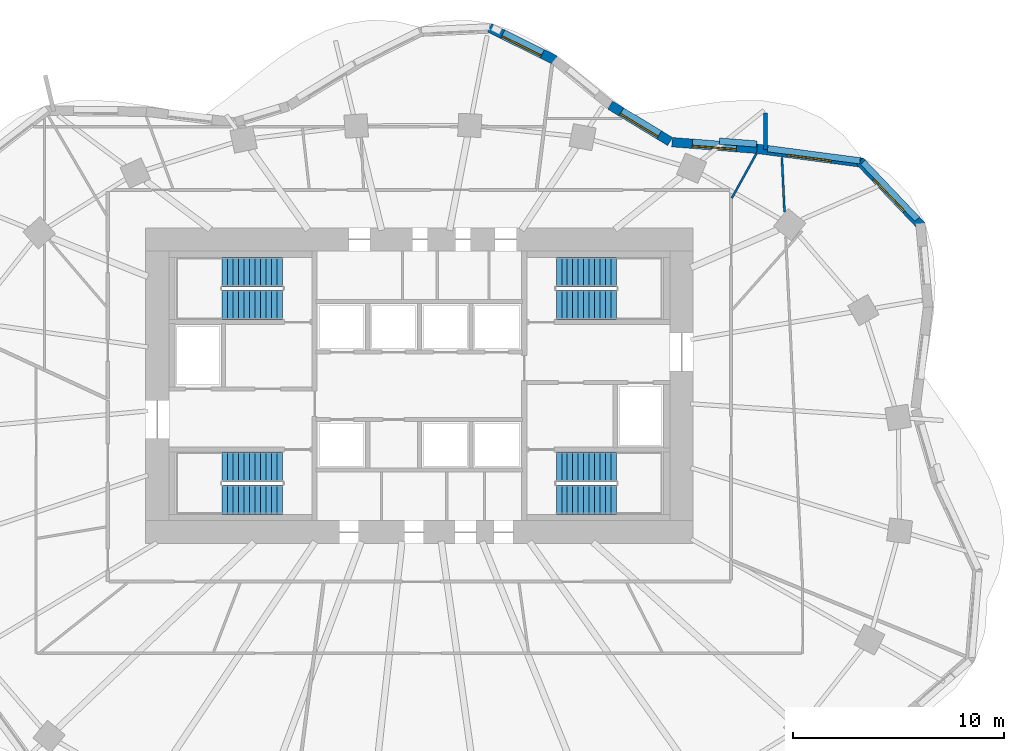
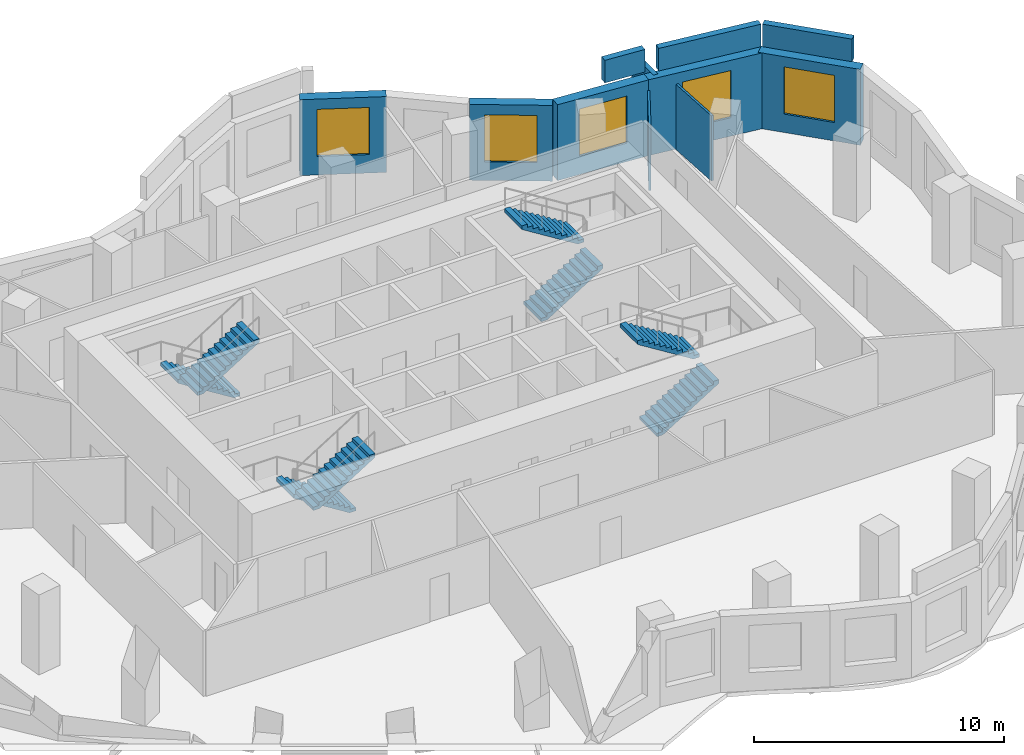
# One storey, part 8 of 9: 11 walls, 8 stair flights, 5 windows, 5 openings, 4 elements without a shape of their own.
"""IFC4 building model written with IfcOpenShell, lengths in metres."""

from ifc_helpers import new_model, si_unit, direction, frame, frame_2d, origin, place, context, subcontext, project, spatial, polyline, rectangle, outline, extrude, material, layer, layer_set, type_object, element, fill, aggregate, save


model = new_model("IFC4")

# Units and contexts
model_context = context("Model", 3, precision=1e-05, world=origin(), true_north=direction((0.0, 1.0)))
body_context = subcontext(model_context, "Body", "Model", "MODEL_VIEW")
ifc_project = project(units=[si_unit("LENGTHUNIT", "METRE"), si_unit("AREAUNIT", "SQUARE_METRE"), si_unit("VOLUMEUNIT", "CUBIC_METRE"), si_unit("PLANEANGLEUNIT", "RADIAN"), si_unit("MASSUNIT", "GRAM", prefix="KILO")], contexts=[model_context])

# Site, building, storey
site_placement = place(None, origin())
site = spatial("IfcSite", under=ifc_project, at=site_placement, CompositionType="ELEMENT")
building_placement = place(site_placement, origin())
building = spatial("IfcBuilding", under=site, at=building_placement, Name="Rubra Terraces Tower", CompositionType="ELEMENT")
storey_placement = place(building_placement, frame((0.0, 0.0, 130.5)))
storey = spatial("IfcBuildingStorey", under=building, at=storey_placement, Name="L31", CompositionType="ELEMENT", Elevation=130.5)

# Wall, opening, window
ifc_material_1 = material(Name="Brick masonry red-brown", Category="masonry")
ifc_layer_1 = layer(ifc_material_1, 0.449951171875)
ifc_layer_set_1 = layer_set([ifc_layer_1], Name="Brick masonry red-brown")
wall_type_1 = type_object("IfcWallType", Name="Brick facade wall 450", PredefinedType="SOLIDWALL", material=ifc_layer_set_1)
wall_1_placement = place(storey_placement, frame((23.84912109375, 12.07958984375, 0.0), z_axis=(0.0, 0.0, 1.0), x_axis=(-0.690057851873, 0.723754213161, 0.0)))
wall_1 = element("IfcWall", 1, at=wall_1_placement, inside=storey, type_object=wall_type_1, Name="Facade wall L31 bay 4", PredefinedType="SOLIDWALL", context=body_context, shape_type="SweptSolid", body=[
    extrude(rectangle(XDim=4.2529296875, YDim=0.449951171875, at=frame_2d((2.12646484375, 0.0))), origin(), (0.0, 0.0, 1.0), 3.699951171875),
])
opening_1_placement = place(wall_1_placement, frame((1.076416015625, 0.0, 0.89990234375)))
opening_1 = element("IfcOpeningElement", 2, at=opening_1_placement, cuts=wall_1, Name="Opening W1B", PredefinedType="OPENING", context=body_context, shape_type="SweptSolid", body=[
    extrude(rectangle(XDim=2.10009765625, YDim=2.300048828125, at=frame_2d((1.050048828125, 1.14990234375))), frame((0.0, 0.23486328125, 0.0), z_axis=(0.0, -1.0, 0.0), x_axis=(1.0, 0.0, 0.0)), (0.0, 0.0, 1.0), 0.469970703125),
])
ifc_material_2 = material(Name="Clear glass in aluminium frame", Category="aluminium")
window_type = type_object("IfcWindowType", Name="Fixed deep-set window tall storey 2100 x 2300", PartitioningType="SINGLE_PANEL", PredefinedType="WINDOW", material=ifc_material_2)
window_1_placement = place(opening_1_placement, origin())
window_1 = element("IfcWindow", 3, at=window_1_placement, inside=storey, type_object=window_type, Name="Window L31 bay 4", OverallHeight=2.300048828125, OverallWidth=2.10009765625, PartitioningType="SINGLE_PANEL", PredefinedType="WINDOW", context=body_context, shape_type="SweptSolid", body=[
    extrude(rectangle(XDim=2.10009765625, YDim=2.300048828125, at=frame_2d((1.050048828125, 1.14990234375))), frame((0.0, 0.135009765625, 0.0), z_axis=(0.0, -1.0, 0.0), x_axis=(1.0, 0.0, 0.0)), (0.0, 0.0, 1.0), 0.06005859375),
])
fill(opening_1, window_1)

wall_2_placement = place(storey_placement, frame((21.043701171875, 15.090576171875, 0.0), z_axis=(0.0, 0.0, 1.0), x_axis=(-0.991409967396, 0.130790965086, 0.0)))
wall_2 = element("IfcWall", 4, at=wall_2_placement, inside=storey, type_object=wall_type_1, Name="Facade wall L31 bay 5", PredefinedType="SOLIDWALL", context=body_context, shape_type="SweptSolid", body=[
    extrude(rectangle(XDim=5.06787109375, YDim=0.449951171875, at=frame_2d((2.533935546875, 0.0))), origin(), (0.0, 0.0, 1.0), 3.699951171875),
])
opening_2_placement = place(wall_2_placement, frame((1.48388671875, 0.0, 0.89990234375)))
opening_2 = element("IfcOpeningElement", 5, at=opening_2_placement, cuts=wall_2, Name="Opening W1B", PredefinedType="OPENING", context=body_context, shape_type="SweptSolid", body=[
    extrude(rectangle(XDim=2.10009765625, YDim=2.300048828125, at=frame_2d((1.050048828125, 1.14990234375))), frame((0.0, 0.23486328125, 0.0), z_axis=(0.0, -1.0, 0.0), x_axis=(1.0, 0.0, 0.0)), (0.0, 0.0, 1.0), 0.469970703125),
])
window_2_placement = place(opening_2_placement, origin())
window_2 = element("IfcWindow", 6, at=window_2_placement, inside=storey, type_object=window_type, Name="Window L31 bay 5", OverallHeight=2.300048828125, OverallWidth=2.10009765625, PartitioningType="SINGLE_PANEL", PredefinedType="WINDOW", context=body_context, shape_type="SweptSolid", body=[
    extrude(rectangle(XDim=2.10009765625, YDim=2.300048828125, at=frame_2d((1.050048828125, 1.14990234375))), frame((0.0, 0.135009765625, 0.0), z_axis=(0.0, -1.0, 0.0), x_axis=(1.0, 0.0, 0.0)), (0.0, 0.0, 1.0), 0.06005859375),
])
fill(opening_2, window_2)

wall_3_placement = place(storey_placement, frame((16.0302734375, 15.751953125, 0.0), z_axis=(0.0, 0.0, 1.0), x_axis=(-0.996967628157, 0.077817404267, 0.0)))
wall_3 = element("IfcWall", 7, at=wall_3_placement, inside=storey, type_object=wall_type_1, Name="Facade wall L31 bay 6", PredefinedType="SOLIDWALL", context=body_context, shape_type="SweptSolid", body=[
    extrude(rectangle(XDim=4.047119140625, YDim=0.449951171875, at=frame_2d((2.0234375, 0.0))), origin(), (0.0, 0.0, 1.0), 3.699951171875),
])
opening_3_placement = place(wall_3_placement, frame((0.9736328125, 0.0, 0.89990234375)))
opening_3 = element("IfcOpeningElement", 8, at=opening_3_placement, cuts=wall_3, Name="Opening W1B", PredefinedType="OPENING", context=body_context, shape_type="SweptSolid", body=[
    extrude(rectangle(XDim=2.10009765625, YDim=2.300048828125, at=frame_2d((1.050048828125, 1.14990234375))), frame((0.0, 0.23486328125, 0.0), z_axis=(0.0, -1.0, 0.0), x_axis=(1.0, 0.0, 0.0)), (0.0, 0.0, 1.0), 0.469970703125),
])
window_3_placement = place(opening_3_placement, origin())
window_3 = element("IfcWindow", 9, at=window_3_placement, inside=storey, type_object=window_type, Name="Window L31 bay 6", OverallHeight=2.300048828125, OverallWidth=2.10009765625, PartitioningType="SINGLE_PANEL", PredefinedType="WINDOW", context=body_context, shape_type="SweptSolid", body=[
    extrude(rectangle(XDim=2.10009765625, YDim=2.300048828125, at=frame_2d((1.050048828125, 1.14990234375))), frame((0.0, 0.135009765625, 0.0), z_axis=(0.0, -1.0, 0.0), x_axis=(1.0, 0.0, 0.0)), (0.0, 0.0, 1.0), 0.06005859375),
])
fill(opening_3, window_3)

wall_4_placement = place(storey_placement, frame((11.904541015625, 16.09619140625, 0.0), z_axis=(0.0, 0.0, 1.0), x_axis=(-0.854609476155, 0.519271261738, 0.0)))
wall_4 = element("IfcWall", 10, at=wall_4_placement, inside=storey, type_object=wall_type_1, Name="Facade wall L31 bay 7", PredefinedType="SOLIDWALL", context=body_context, shape_type="SweptSolid", body=[
    extrude(rectangle(XDim=3.324951171875, YDim=0.449951171875, at=frame_2d((1.66259765625, 0.0))), origin(), (0.0, 0.0, 1.0), 3.699951171875),
])
opening_4_placement = place(wall_4_placement, frame((0.6123046875, 0.0, 0.89990234375)))
opening_4 = element("IfcOpeningElement", 11, at=opening_4_placement, cuts=wall_4, Name="Opening W1B", PredefinedType="OPENING", context=body_context, shape_type="SweptSolid", body=[
    extrude(rectangle(XDim=2.10009765625, YDim=2.300048828125, at=frame_2d((1.050048828125, 1.14990234375))), frame((0.0, 0.23486328125, 0.0), z_axis=(0.0, -1.0, 0.0), x_axis=(1.0, 0.0, 0.0)), (0.0, 0.0, 1.0), 0.469970703125),
])
window_4_placement = place(opening_4_placement, origin())
window_4 = element("IfcWindow", 12, at=window_4_placement, inside=storey, type_object=window_type, Name="Window L31 bay 7", OverallHeight=2.300048828125, OverallWidth=2.10009765625, PartitioningType="SINGLE_PANEL", PredefinedType="WINDOW", context=body_context, shape_type="SweptSolid", body=[
    extrude(rectangle(XDim=2.10009765625, YDim=2.300048828125, at=frame_2d((1.050048828125, 1.14990234375))), frame((0.0, 0.135009765625, 0.0), z_axis=(0.0, -1.0, 0.0), x_axis=(1.0, 0.0, 0.0)), (0.0, 0.0, 1.0), 0.06005859375),
])
fill(opening_4, window_4)

wall_5_placement = place(storey_placement, frame((6.4501953125, 19.958251953125, 0.0), z_axis=(0.0, 0.0, 1.0), x_axis=(-0.896526715328, 0.442989671103, 0.0)))
wall_5 = element("IfcWall", 13, at=wall_5_placement, inside=storey, type_object=wall_type_1, Name="Facade wall L31 bay 9", PredefinedType="SOLIDWALL", context=body_context, shape_type="SweptSolid", body=[
    extrude(rectangle(XDim=3.47216796875, YDim=0.449951171875, at=frame_2d((1.736083984375, 0.0))), origin(), (0.0, 0.0, 1.0), 3.699951171875),
])
opening_5_placement = place(wall_5_placement, frame((0.68603515625, 0.0, 0.89990234375)))
opening_5 = element("IfcOpeningElement", 14, at=opening_5_placement, cuts=wall_5, Name="Opening W1B", PredefinedType="OPENING", context=body_context, shape_type="SweptSolid", body=[
    extrude(rectangle(XDim=2.10009765625, YDim=2.300048828125, at=frame_2d((1.050048828125, 1.14990234375))), frame((0.0, 0.23486328125, 0.0), z_axis=(0.0, -1.0, 0.0), x_axis=(1.0, 0.0, 0.0)), (0.0, 0.0, 1.0), 0.469970703125),
])
window_5_placement = place(opening_5_placement, origin())
window_5 = element("IfcWindow", 15, at=window_5_placement, inside=storey, type_object=window_type, Name="Window L31 bay 9", OverallHeight=2.300048828125, OverallWidth=2.10009765625, PartitioningType="SINGLE_PANEL", PredefinedType="WINDOW", context=body_context, shape_type="SweptSolid", body=[
    extrude(rectangle(XDim=2.10009765625, YDim=2.300048828125, at=frame_2d((1.050048828125, 1.14990234375))), frame((0.0, 0.135009765625, 0.0), z_axis=(0.0, -1.0, 0.0), x_axis=(1.0, 0.0, 0.0)), (0.0, 0.0, 1.0), 0.06005859375),
])
fill(opening_5, window_5)

# Walls
ifc_layer_2 = layer(ifc_material_1, 0.300048828125)
ifc_layer_set_2 = layer_set([ifc_layer_2], Name="Brick masonry red-brown")
wall_type_2 = type_object("IfcWallType", Name="Brick parapet 300", PredefinedType="PARAPET", material=ifc_layer_set_2)
wall_6_placement = place(storey_placement, frame((23.6396484375, 12.408203125, 3.89990234375), z_axis=(0.0, 0.0, 1.0), x_axis=(-0.690141419558, 0.723674526987, 0.0)))
element("IfcWall", 16, at=wall_6_placement, inside=storey, type_object=wall_type_2, Name="Parapet L31 bay 4", PredefinedType="PARAPET", context=body_context, shape_type="SweptSolid", body=[
    extrude(rectangle(XDim=3.73486328125, YDim=0.300048828125, at=frame_2d((1.867431640625, 0.0))), origin(), (0.0, 0.0, 1.0), 1.10009765625),
])
wall_7_placement = place(storey_placement, frame((20.922607421875, 15.18212890625, 3.89990234375), z_axis=(0.0, 0.0, 1.0), x_axis=(-0.991411041714, 0.130782821377, 0.0)))
element("IfcWall", 17, at=wall_7_placement, inside=storey, type_object=wall_type_2, Name="Parapet L31 bay 5", PredefinedType="PARAPET", context=body_context, shape_type="SweptSolid", body=[
    extrude(rectangle(XDim=4.42431640625, YDim=0.300048828125, at=frame_2d((2.212158203125, 0.0))), origin(), (0.0, 0.0, 1.0), 1.10009765625),
])
wall_8_placement = place(storey_placement, frame((16.018798828125, 15.978515625, 3.89990234375), z_axis=(0.0, 0.0, 1.0), x_axis=(-0.99696580474, 0.077840761676, 0.0)))
element("IfcWall", 18, at=wall_8_placement, inside=storey, type_object=wall_type_2, Name="Parapet L31 bay 6", PredefinedType="PARAPET", context=body_context, shape_type="SweptSolid", body=[
    extrude(rectangle(XDim=1.7783203125, YDim=0.300048828125, at=frame_2d((0.88916015625, 0.0))), origin(), (0.0, 0.0, 1.0), 1.10009765625),
])
ifc_layer_3 = layer(ifc_material_1, 0.199951171875)
ifc_layer_set_3 = layer_set([ifc_layer_3], Name="Brick masonry red-brown")
wall_type_3 = type_object("IfcWallType", Name="Brick wind fin 200", PredefinedType="SOLIDWALL", material=ifc_layer_set_3)
wall_9_placement = place(storey_placement, frame((16.43505859375, 15.7119140625, 0.0), z_axis=(0.0, 0.0, 1.0), x_axis=(-0.000279017846, 0.999999961075, 0.0)))
element("IfcWall", 19, at=wall_9_placement, inside=storey, type_object=wall_type_3, Name="Wind fin L31 3", PredefinedType="SOLIDWALL", context=body_context, shape_type="SweptSolid", body=[
    extrude(rectangle(XDim=1.75, YDim=0.199951171875, at=frame_2d((0.875, 0.0))), origin(), (0.0, 0.0, 1.0), 3.699951171875),
])
ifc_material_3 = material(Name="Plasterboard on steel stud", Category="steel")
ifc_layer_4 = layer(ifc_material_3, 0.10009765625)
ifc_layer_set_4 = layer_set([ifc_layer_4], Name="Plasterboard on steel stud")
wall_type_4 = type_object("IfcWallType", Name="ROOM PARTITION 100", PredefinedType="PARTITIONING", material=ifc_layer_set_4)
wall_10_placement = place(storey_placement, frame((17.210693359375, 15.34912109375, 0.0), z_axis=(0.0, 0.0, 1.0), x_axis=(0.048152668687, -0.998839987435, 0.0)))
element("IfcWall", 20, at=wall_10_placement, inside=storey, type_object=wall_type_4, Name="PARTITION", PredefinedType="PARTITIONING", context=body_context, shape_type="SweptSolid", body=[
    extrude(rectangle(XDim=2.60595703125, YDim=0.10009765625, at=frame_2d((1.302978515625, 0.0))), origin(), (0.0, 0.0, 1.0), 3.18408203125),
])
wall_11_placement = place(storey_placement, frame((14.836181640625, 13.411865234375, 0.0), z_axis=(0.0, 0.0, 1.0), x_axis=(0.483304666726, 0.875452225493, 0.0)))
element("IfcWall", 21, at=wall_11_placement, inside=storey, type_object=wall_type_4, Name="PARTITION", PredefinedType="PARTITIONING", context=body_context, shape_type="SweptSolid", body=[
    extrude(rectangle(XDim=2.4130859375, YDim=0.10009765625, at=frame_2d((1.20654296875, 0.0))), origin(), (0.0, 0.0, 1.0), 3.18408203125),
])

# Stair, stair flights
ifc_material_4 = material(Name="Concrete C40", Category="concrete")
stair_type = type_object("IfcStairType", Name="Core stair 1400", PredefinedType="HALF_TURN_STAIR", material=ifc_material_4)
stair_1_placement = place(storey_placement, origin())
stair_1 = element("IfcStair", 22, at=stair_1_placement, inside=storey, type_object=stair_type, Name="L31 Exit stair S1", PredefinedType="HALF_TURN_STAIR")
stair_flight_type = type_object("IfcStairFlightType", Name="Core stair flight 1400", PredefinedType="STRAIGHT", material=ifc_material_4)
stair_flight_1_placement = place(storey_placement, frame((-6.5, 0.64990234375, 0.0), z_axis=(0.0, 0.0, 1.0), x_axis=(-1.0, 0.0, 0.0)))
stair_flight_1 = element("IfcStairFlight", 23, at=stair_flight_1_placement, type_object=stair_flight_type, Name="S1 flight 1", NumberOfRisers=12, NumberOfTreads=11, PredefinedType="STRAIGHT", RiserHeight=0.1625, TreadLength=0.26, context=body_context, shape_type="SweptSolid", body=[
    extrude(outline(polyline([(0.0, 0.0), (0.0, 0.16259765625), (0.260009765625, 0.16259765625), (0.260009765625, 0.324951171875), (0.52001953125, 0.324951171875), (0.52001953125, 0.487548828125), (0.780029296875, 0.487548828125), (0.780029296875, 0.64990234375), (1.0400390625, 0.64990234375), (1.0400390625, 0.8125), (1.300048828125, 0.8125), (1.300048828125, 0.97509765625), (1.56005859375, 0.97509765625), (1.56005859375, 1.137451171875), (1.820068359375, 1.137451171875), (1.820068359375, 1.300048828125), (2.080078125, 1.300048828125), (2.080078125, 1.46240234375), (2.340087890625, 1.46240234375), (2.340087890625, 1.625), (2.60009765625, 1.625), (2.60009765625, 1.78759765625), (2.860107421875, 1.78759765625), (2.860107421875, 1.949951171875), (2.860107421875, 1.61083984375), (0.28271484375, 0.0), (0.0, 0.0)])), frame((0.0, 0.699951171875, 0.0), z_axis=(0.0, -1.0, 0.0), x_axis=(1.0, 0.0, 0.0)), (0.0, 0.0, 1.0), 1.39990234375),
])
stair_flight_2_placement = place(storey_placement, frame((-9.360107421875, -0.89990234375, 1.949951171875), z_axis=(0.0, 0.0, 1.0), x_axis=(1.0, 0.0, 0.0)))
stair_flight_2 = element("IfcStairFlight", 24, at=stair_flight_2_placement, type_object=stair_flight_type, Name="S1 flight 2", NumberOfRisers=12, NumberOfTreads=11, PredefinedType="STRAIGHT", RiserHeight=0.1625, TreadLength=0.26, context=body_context, shape_type="SweptSolid", body=[
    extrude(outline(polyline([(0.0, 0.0), (0.0, 0.16259765625), (0.260009765625, 0.16259765625), (0.260009765625, 0.324951171875), (0.52001953125, 0.324951171875), (0.52001953125, 0.487548828125), (0.780029296875, 0.487548828125), (0.780029296875, 0.64990234375), (1.0400390625, 0.64990234375), (1.0400390625, 0.8125), (1.300048828125, 0.8125), (1.300048828125, 0.97509765625), (1.56005859375, 0.97509765625), (1.56005859375, 1.137451171875), (1.820068359375, 1.137451171875), (1.820068359375, 1.300048828125), (2.080078125, 1.300048828125), (2.080078125, 1.46240234375), (2.340087890625, 1.46240234375), (2.340087890625, 1.625), (2.60009765625, 1.625), (2.60009765625, 1.78759765625), (2.860107421875, 1.78759765625), (2.860107421875, 1.949951171875), (2.860107421875, 1.61083984375), (0.28271484375, 0.0), (0.0, 0.0)])), frame((0.0, 0.699951171875, 0.0), z_axis=(0.0, -1.0, 0.0), x_axis=(1.0, 0.0, 0.0)), (0.0, 0.0, 1.0), 1.39990234375),
])
aggregate(stair_1, [stair_flight_1, stair_flight_2])

stair_2_placement = place(storey_placement, origin())
stair_2 = element("IfcStair", 25, at=stair_2_placement, inside=storey, type_object=stair_type, Name="L31 Exit stair S2", PredefinedType="HALF_TURN_STAIR")
stair_flight_3_placement = place(storey_placement, frame((-6.5, 9.89990234375, 0.0), z_axis=(0.0, 0.0, 1.0), x_axis=(-1.0, 0.0, 0.0)))
stair_flight_3 = element("IfcStairFlight", 26, at=stair_flight_3_placement, type_object=stair_flight_type, Name="S2 flight 1", NumberOfRisers=12, NumberOfTreads=11, PredefinedType="STRAIGHT", RiserHeight=0.1625, TreadLength=0.26, context=body_context, shape_type="SweptSolid", body=[
    extrude(outline(polyline([(0.0, 0.0), (0.0, 0.16259765625), (0.260009765625, 0.16259765625), (0.260009765625, 0.324951171875), (0.52001953125, 0.324951171875), (0.52001953125, 0.487548828125), (0.780029296875, 0.487548828125), (0.780029296875, 0.64990234375), (1.0400390625, 0.64990234375), (1.0400390625, 0.8125), (1.300048828125, 0.8125), (1.300048828125, 0.97509765625), (1.56005859375, 0.97509765625), (1.56005859375, 1.137451171875), (1.820068359375, 1.137451171875), (1.820068359375, 1.300048828125), (2.080078125, 1.300048828125), (2.080078125, 1.46240234375), (2.340087890625, 1.46240234375), (2.340087890625, 1.625), (2.60009765625, 1.625), (2.60009765625, 1.78759765625), (2.860107421875, 1.78759765625), (2.860107421875, 1.949951171875), (2.860107421875, 1.61083984375), (0.28271484375, 0.0), (0.0, 0.0)])), frame((0.0, 0.699951171875, 0.0), z_axis=(0.0, -1.0, 0.0), x_axis=(1.0, 0.0, 0.0)), (0.0, 0.0, 1.0), 1.39990234375),
])
stair_flight_4_placement = place(storey_placement, frame((-9.360107421875, 8.35009765625, 1.949951171875), z_axis=(0.0, 0.0, 1.0), x_axis=(1.0, 0.0, 0.0)))
stair_flight_4 = element("IfcStairFlight", 27, at=stair_flight_4_placement, type_object=stair_flight_type, Name="S2 flight 2", NumberOfRisers=12, NumberOfTreads=11, PredefinedType="STRAIGHT", RiserHeight=0.1625, TreadLength=0.26, context=body_context, shape_type="SweptSolid", body=[
    extrude(outline(polyline([(0.0, 0.0), (0.0, 0.16259765625), (0.260009765625, 0.16259765625), (0.260009765625, 0.324951171875), (0.52001953125, 0.324951171875), (0.52001953125, 0.487548828125), (0.780029296875, 0.487548828125), (0.780029296875, 0.64990234375), (1.0400390625, 0.64990234375), (1.0400390625, 0.8125), (1.300048828125, 0.8125), (1.300048828125, 0.97509765625), (1.56005859375, 0.97509765625), (1.56005859375, 1.137451171875), (1.820068359375, 1.137451171875), (1.820068359375, 1.300048828125), (2.080078125, 1.300048828125), (2.080078125, 1.46240234375), (2.340087890625, 1.46240234375), (2.340087890625, 1.625), (2.60009765625, 1.625), (2.60009765625, 1.78759765625), (2.860107421875, 1.78759765625), (2.860107421875, 1.949951171875), (2.860107421875, 1.61083984375), (0.28271484375, 0.0), (0.0, 0.0)])), frame((0.0, 0.699951171875, 0.0), z_axis=(0.0, -1.0, 0.0), x_axis=(1.0, 0.0, 0.0)), (0.0, 0.0, 1.0), 1.39990234375),
])
aggregate(stair_2, [stair_flight_3, stair_flight_4])

stair_3_placement = place(storey_placement, origin())
stair_3 = element("IfcStair", 28, at=stair_3_placement, inside=storey, type_object=stair_type, Name="L31 Exit stair S3", PredefinedType="HALF_TURN_STAIR")
stair_flight_5_placement = place(storey_placement, frame((6.5, 8.35009765625, 0.0), z_axis=(0.0, 0.0, 1.0), x_axis=(1.0, 0.0, 0.0)))
stair_flight_5 = element("IfcStairFlight", 29, at=stair_flight_5_placement, type_object=stair_flight_type, Name="S3 flight 1", NumberOfRisers=12, NumberOfTreads=11, PredefinedType="STRAIGHT", RiserHeight=0.1625, TreadLength=0.26, context=body_context, shape_type="SweptSolid", body=[
    extrude(outline(polyline([(0.0, 0.0), (0.0, 0.16259765625), (0.260009765625, 0.16259765625), (0.260009765625, 0.324951171875), (0.52001953125, 0.324951171875), (0.52001953125, 0.487548828125), (0.780029296875, 0.487548828125), (0.780029296875, 0.64990234375), (1.0400390625, 0.64990234375), (1.0400390625, 0.8125), (1.300048828125, 0.8125), (1.300048828125, 0.97509765625), (1.56005859375, 0.97509765625), (1.56005859375, 1.137451171875), (1.820068359375, 1.137451171875), (1.820068359375, 1.300048828125), (2.080078125, 1.300048828125), (2.080078125, 1.46240234375), (2.340087890625, 1.46240234375), (2.340087890625, 1.625), (2.60009765625, 1.625), (2.60009765625, 1.78759765625), (2.860107421875, 1.78759765625), (2.860107421875, 1.949951171875), (2.860107421875, 1.61083984375), (0.28271484375, 0.0), (0.0, 0.0)])), frame((0.0, 0.699951171875, 0.0), z_axis=(0.0, -1.0, 0.0), x_axis=(1.0, 0.0, 0.0)), (0.0, 0.0, 1.0), 1.39990234375),
])
stair_flight_6_placement = place(storey_placement, frame((9.360107421875, 9.89990234375, 1.949951171875), z_axis=(0.0, 0.0, 1.0), x_axis=(-1.0, 0.0, 0.0)))
stair_flight_6 = element("IfcStairFlight", 30, at=stair_flight_6_placement, type_object=stair_flight_type, Name="S3 flight 2", NumberOfRisers=12, NumberOfTreads=11, PredefinedType="STRAIGHT", RiserHeight=0.1625, TreadLength=0.26, context=body_context, shape_type="SweptSolid", body=[
    extrude(outline(polyline([(0.0, 0.0), (0.0, 0.16259765625), (0.260009765625, 0.16259765625), (0.260009765625, 0.324951171875), (0.52001953125, 0.324951171875), (0.52001953125, 0.487548828125), (0.780029296875, 0.487548828125), (0.780029296875, 0.64990234375), (1.0400390625, 0.64990234375), (1.0400390625, 0.8125), (1.300048828125, 0.8125), (1.300048828125, 0.97509765625), (1.56005859375, 0.97509765625), (1.56005859375, 1.137451171875), (1.820068359375, 1.137451171875), (1.820068359375, 1.300048828125), (2.080078125, 1.300048828125), (2.080078125, 1.46240234375), (2.340087890625, 1.46240234375), (2.340087890625, 1.625), (2.60009765625, 1.625), (2.60009765625, 1.78759765625), (2.860107421875, 1.78759765625), (2.860107421875, 1.949951171875), (2.860107421875, 1.61083984375), (0.28271484375, 0.0), (0.0, 0.0)])), frame((0.0, 0.699951171875, 0.0), z_axis=(0.0, -1.0, 0.0), x_axis=(1.0, 0.0, 0.0)), (0.0, 0.0, 1.0), 1.39990234375),
])
aggregate(stair_3, [stair_flight_5, stair_flight_6])

stair_4_placement = place(storey_placement, origin())
stair_4 = element("IfcStair", 31, at=stair_4_placement, inside=storey, type_object=stair_type, Name="L31 Exit stair S4", PredefinedType="HALF_TURN_STAIR")
stair_flight_7_placement = place(storey_placement, frame((6.5, -0.89990234375, 0.0), z_axis=(0.0, 0.0, 1.0), x_axis=(1.0, 0.0, 0.0)))
stair_flight_7 = element("IfcStairFlight", 32, at=stair_flight_7_placement, type_object=stair_flight_type, Name="S4 flight 1", NumberOfRisers=12, NumberOfTreads=11, PredefinedType="STRAIGHT", RiserHeight=0.1625, TreadLength=0.26, context=body_context, shape_type="SweptSolid", body=[
    extrude(outline(polyline([(0.0, 0.0), (0.0, 0.16259765625), (0.260009765625, 0.16259765625), (0.260009765625, 0.324951171875), (0.52001953125, 0.324951171875), (0.52001953125, 0.487548828125), (0.780029296875, 0.487548828125), (0.780029296875, 0.64990234375), (1.0400390625, 0.64990234375), (1.0400390625, 0.8125), (1.300048828125, 0.8125), (1.300048828125, 0.97509765625), (1.56005859375, 0.97509765625), (1.56005859375, 1.137451171875), (1.820068359375, 1.137451171875), (1.820068359375, 1.300048828125), (2.080078125, 1.300048828125), (2.080078125, 1.46240234375), (2.340087890625, 1.46240234375), (2.340087890625, 1.625), (2.60009765625, 1.625), (2.60009765625, 1.78759765625), (2.860107421875, 1.78759765625), (2.860107421875, 1.949951171875), (2.860107421875, 1.61083984375), (0.28271484375, 0.0), (0.0, 0.0)])), frame((0.0, 0.699951171875, 0.0), z_axis=(0.0, -1.0, 0.0), x_axis=(1.0, 0.0, 0.0)), (0.0, 0.0, 1.0), 1.39990234375),
])
stair_flight_8_placement = place(storey_placement, frame((9.360107421875, 0.64990234375, 1.949951171875), z_axis=(0.0, 0.0, 1.0), x_axis=(-1.0, 0.0, 0.0)))
stair_flight_8 = element("IfcStairFlight", 33, at=stair_flight_8_placement, type_object=stair_flight_type, Name="S4 flight 2", NumberOfRisers=12, NumberOfTreads=11, PredefinedType="STRAIGHT", RiserHeight=0.1625, TreadLength=0.26, context=body_context, shape_type="SweptSolid", body=[
    extrude(outline(polyline([(0.0, 0.0), (0.0, 0.16259765625), (0.260009765625, 0.16259765625), (0.260009765625, 0.324951171875), (0.52001953125, 0.324951171875), (0.52001953125, 0.487548828125), (0.780029296875, 0.487548828125), (0.780029296875, 0.64990234375), (1.0400390625, 0.64990234375), (1.0400390625, 0.8125), (1.300048828125, 0.8125), (1.300048828125, 0.97509765625), (1.56005859375, 0.97509765625), (1.56005859375, 1.137451171875), (1.820068359375, 1.137451171875), (1.820068359375, 1.300048828125), (2.080078125, 1.300048828125), (2.080078125, 1.46240234375), (2.340087890625, 1.46240234375), (2.340087890625, 1.625), (2.60009765625, 1.625), (2.60009765625, 1.78759765625), (2.860107421875, 1.78759765625), (2.860107421875, 1.949951171875), (2.860107421875, 1.61083984375), (0.28271484375, 0.0), (0.0, 0.0)])), frame((0.0, 0.699951171875, 0.0), z_axis=(0.0, -1.0, 0.0), x_axis=(1.0, 0.0, 0.0)), (0.0, 0.0, 1.0), 1.39990234375),
])
aggregate(stair_4, [stair_flight_7, stair_flight_8])

save(model, "model.ifc")
